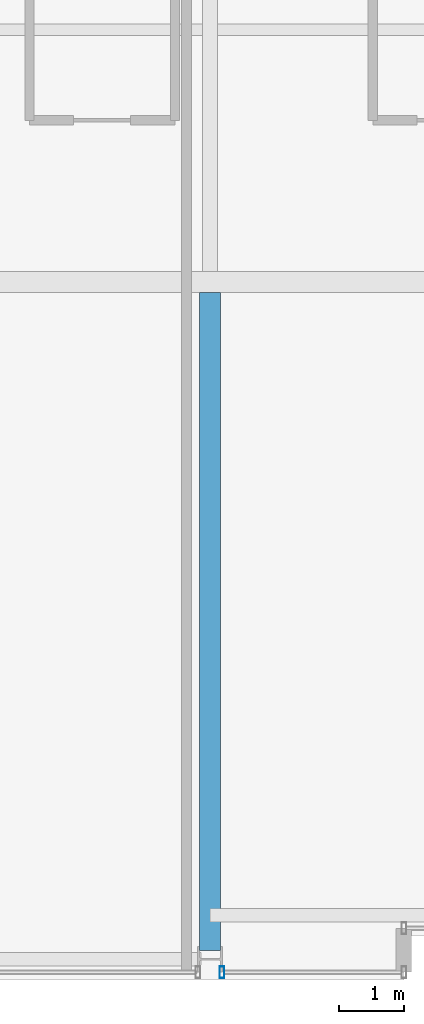
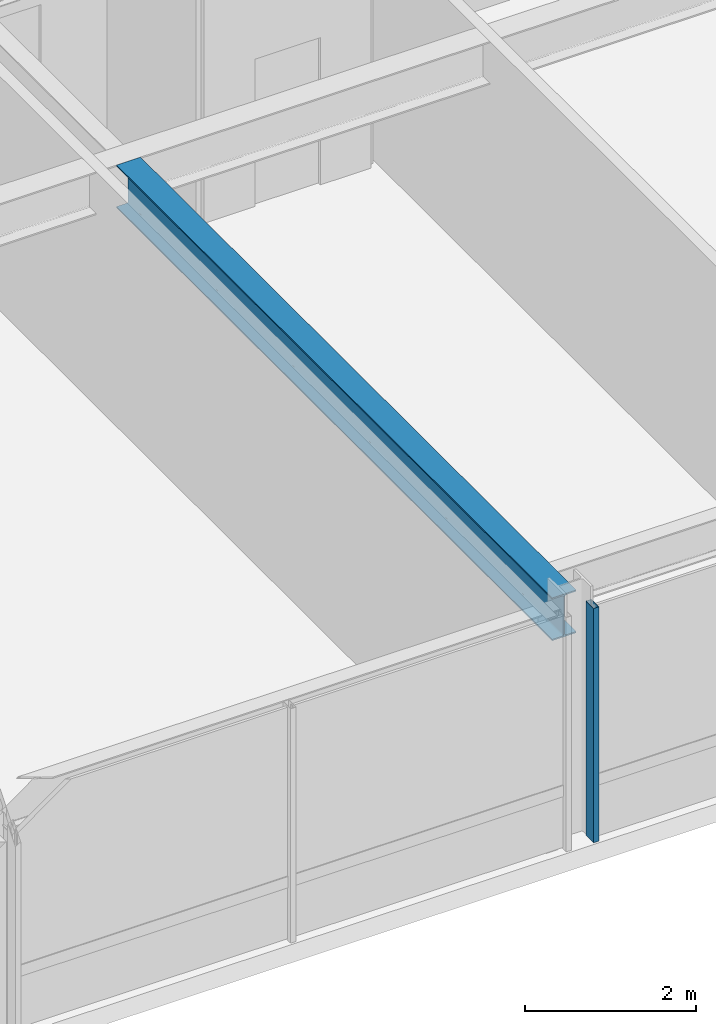
# One storey, part 3 of 32: 1 beam, 1 member, 1 element without a shape of its own.
"""IFC4 building model written with IfcOpenShell, lengths in metres."""

from ifc_helpers import new_model, si_unit, direction, frame, origin, origin_2d, place, context, subcontext, project, spatial, hollow_rectangle, i_section, extrude, material, layer, layer_set, material_profile, profile_set, type_object, element, aggregate, save


model = new_model("IFC4")

# Units and contexts
model_context = context("Model", 3, precision=1e-05, world=origin(), true_north=direction((0.0, 1.0)))
body_context = subcontext(model_context, "Body", "Model", "MODEL_VIEW")
ifc_project = project(units=[si_unit("LENGTHUNIT", "METRE"), si_unit("AREAUNIT", "SQUARE_METRE"), si_unit("VOLUMEUNIT", "CUBIC_METRE"), si_unit("PLANEANGLEUNIT", "RADIAN"), si_unit("MASSUNIT", "GRAM", prefix="KILO")], contexts=[model_context])

# Site, building, storey
site_placement = place(None, origin())
site = spatial("IfcSite", under=ifc_project, at=site_placement, CompositionType="ELEMENT")
building_placement = place(site_placement, origin())
building = spatial("IfcBuilding", under=site, at=building_placement, Name="Drelvath Grand Hotel", CompositionType="ELEMENT")
storey_placement = place(building_placement, frame((0.0, 0.0, 233.89990234375)))
storey = spatial("IfcBuildingStorey", under=building, at=storey_placement, Name="L61", CompositionType="ELEMENT", Elevation=233.89990234375)

# Curtain wall, member
ifc_material_1 = material(Name="Platinum-Mist Anodised Aluminium Frame", Category="aluminium")
ifc_layer = layer(ifc_material_1, 0.199951171875)
ifc_layer_set = layer_set([ifc_layer], Name="Platinum-Mist Anodised Aluminium Frame")
curtain_wall_type = type_object("IfcCurtainWallType", Name="Stick Curtain Wall CW-05 Platinum Mist High-Rise", PredefinedType="NOTDEFINED", material=ifc_layer_set)
curtain_wall_placement = place(storey_placement, origin())
curtain_wall = element("IfcCurtainWall", 1, at=curtain_wall_placement, inside=storey, type_object=curtain_wall_type, Name="L61 CW-05 Curtain Wall CW05-L61-SW3", PredefinedType="NOTDEFINED")
ifc_material_profile_1 = material_profile(ifc_material_1, hollow_rectangle(XDim=0.074951171875, YDim=0.179931640625, WallThickness=0.0048828125, at=origin_2d()), Name="HSS180X75X5")
ifc_profile_set_1 = profile_set([ifc_material_profile_1], Name="Platinum-Mist Anodised Aluminium Frame")
member_type = type_object("IfcMemberType", Name="Curtain Wall Vertical Mullion CW-05 HSS180X75X5", PredefinedType="MULLION", material=ifc_profile_set_1)
member_placement = place(storey_placement, frame((-8.214599609375, 0.1201171875, 0.0), z_axis=(0.0, 0.0, 1.0), x_axis=(1.0, 0.0, 0.0)))
member = element("IfcMember", 2, at=member_placement, type_object=member_type, Name="CW05-L61-SW3 Mullion 2", PredefinedType="MULLION", context=body_context, shape_type="SweptSolid", body=[
    extrude(hollow_rectangle(XDim=0.074951171875, YDim=0.179931640625, WallThickness=0.0048828125, at=origin_2d()), origin(), (0.0, 0.0, 1.0), 3.340087890625),
])
aggregate(curtain_wall, [member])

# Beam
ifc_material_2 = material(Name="Steel ASTM A992 Gr 50", Category="steel")
ifc_material_profile_2 = material_profile(ifc_material_2, i_section(OverallWidth=0.323974609375, OverallDepth=0.611083984375, WebThickness=0.0126953125, FlangeThickness=0.01904296875, FilletRadius=0.02197265625, at=origin_2d()), Name="W24X104")
ifc_profile_set_2 = profile_set([ifc_material_profile_2], Name="Steel ASTM A992 Gr 50")
beam_type = type_object("IfcBeamType", Name="Primary Floor Girder W24X104", PredefinedType="BEAM", material=ifc_profile_set_2)
beam_placement = place(storey_placement, frame((-8.39990234375, 0.4599609375, 3.034423828125), z_axis=(0.0, 1.0, 0.0), x_axis=(-1.0, 0.0, 0.0)))
element("IfcBeam", 3, at=beam_placement, inside=storey, type_object=beam_type, Name="L61 South Wing Girder 4", PredefinedType="BEAM", context=body_context, shape_type="SweptSolid", body=[
    extrude(i_section(OverallWidth=0.323974609375, OverallDepth=0.611083984375, WebThickness=0.0126953125, FlangeThickness=0.01904296875, FilletRadius=0.02197265625, at=origin_2d()), origin(), (0.0, 0.0, 1.0), 10.177978515625),
])

save(model, "model.ifc")
